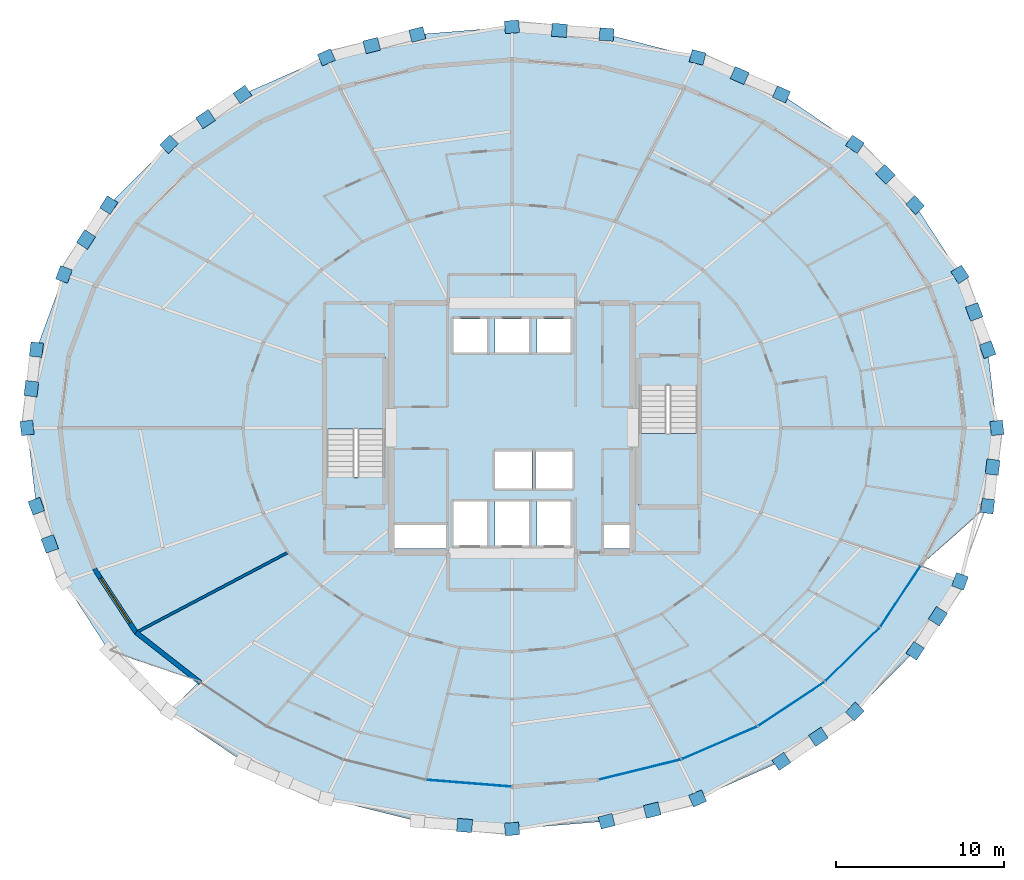
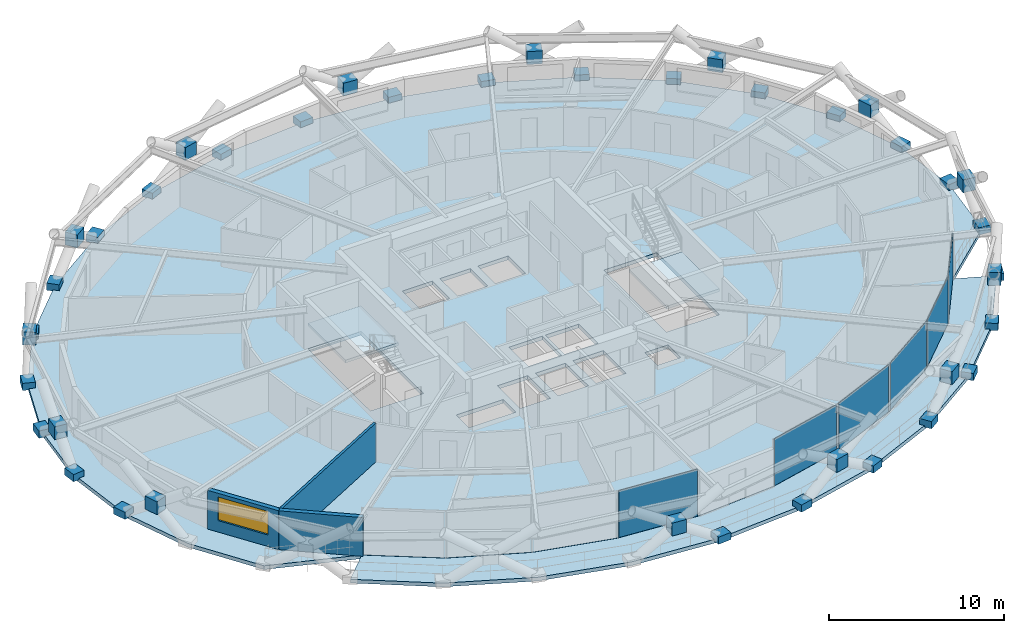
# One storey, part 12 of 19: 46 plates, 4 slabs, 3 walls, 1 window, 1 opening, 4 elements without a shape of their own.
"""IFC4 building model written with IfcOpenShell, lengths in metres."""

from ifc_helpers import new_model, si_unit, direction, frame, frame_2d, origin, origin_2d, place, context, subcontext, project, spatial, polyline, rectangle, outline, extrude, material, layer, layer_set, type_object, element, fill, aggregate, save


model = new_model("IFC4")

# Units and contexts
model_context = context("Model", 3, precision=1e-05, world=origin(), true_north=direction((0.0, 1.0)))
body_context = subcontext(model_context, "Body", "Model", "MODEL_VIEW")
ifc_project = project(units=[si_unit("LENGTHUNIT", "METRE"), si_unit("AREAUNIT", "SQUARE_METRE"), si_unit("VOLUMEUNIT", "CUBIC_METRE"), si_unit("PLANEANGLEUNIT", "RADIAN"), si_unit("MASSUNIT", "GRAM", prefix="KILO")], contexts=[model_context])

# Site, building, storey
site_placement = place(None, origin())
site = spatial("IfcSite", under=ifc_project, at=site_placement, CompositionType="ELEMENT")
building_placement = place(site_placement, origin())
building = spatial("IfcBuilding", under=site, at=building_placement, Name="Veldorina Hangang Commons", CompositionType="ELEMENT")
storey_placement = place(building_placement, frame((0.0, 0.0, 70.0)))
storey = spatial("IfcBuildingStorey", under=building, at=storey_placement, Name="L17", CompositionType="ELEMENT", Elevation=70.0)

# Curtain wall, plate
ifc_material_1 = material(Name="Glass Low-E Triple IGU", Category="glass")
ifc_layer_1 = layer(ifc_material_1, 0.179931640625)
ifc_layer_set_1 = layer_set([ifc_layer_1], Name="Glass Low-E Triple IGU")
curtain_wall_type = type_object("IfcCurtainWallType", Name="CW-SYS-Z1", PredefinedType="NOTDEFINED", material=ifc_layer_set_1)
curtain_wall_1_placement = place(storey_placement, origin())
curtain_wall_1 = element("IfcCurtainWall", 1, at=curtain_wall_1_placement, inside=storey, type_object=curtain_wall_type, Name="L17 unitised curtain wall CW-L17-R1", PredefinedType="NOTDEFINED")
ifc_layer_2 = layer(ifc_material_1, 0.0400390625)
ifc_layer_set_2 = layer_set([ifc_layer_2], Name="Glass Low-E Triple IGU")
plate_type_1 = type_object("IfcPlateType", Name="CW-PNL-VIS", PredefinedType="CURTAIN_PANEL", material=ifc_layer_set_2)
plate_1_placement = place(storey_placement, frame((29.42529296875, 2.809814453125, 0.014892578125), z_axis=(0.0, 0.0, 1.0), x_axis=(0.996829072167, -0.079572613899, 0.0)))
plate_1 = element("IfcPlate", 2, at=plate_1_placement, type_object=plate_type_1, Name="CW-L17-R1 facet 4 glazed vision panel", PredefinedType="CURTAIN_PANEL", context=body_context, shape_type="SweptSolid", body=[
    extrude(rectangle(XDim=4.986083984375, YDim=0.0400390625, at=origin_2d()), origin(), (0.0, 0.0, 1.0), 3.27001953125),
])
aggregate(curtain_wall_1, [plate_1])

# Curtain wall, plates
curtain_wall_2_placement = place(storey_placement, origin())
curtain_wall_2 = element("IfcCurtainWall", 3, at=curtain_wall_2_placement, inside=storey, type_object=curtain_wall_type, Name="L17 unitised curtain wall CW-L17-R2", PredefinedType="NOTDEFINED")
plate_2_placement = place(storey_placement, frame((39.62548828125, 3.6240234375, 0.014892578125), z_axis=(0.0, 0.0, 1.0), x_axis=(0.971071798717, 0.238787691761, 0.0)))
plate_2 = element("IfcPlate", 4, at=plate_2_placement, type_object=plate_type_1, Name="CW-L17-R2 facet 1 glazed vision panel", PredefinedType="CURTAIN_PANEL", context=body_context, shape_type="SweptSolid", body=[
    extrude(rectangle(XDim=4.919189453125, YDim=0.0400390625, at=origin_2d()), origin(), (0.0, 0.0, 1.0), 3.27001953125),
])
plate_3_placement = place(storey_placement, frame((44.383056640625, 5.221435546875, 0.014892578125), z_axis=(0.0, 0.0, 1.0), x_axis=(0.917588188255, 0.39753228394, 0.0)))
plate_3 = element("IfcPlate", 5, at=plate_3_placement, type_object=plate_type_1, Name="CW-L17-R2 facet 2 glazed vision panel", PredefinedType="CURTAIN_PANEL", context=body_context, shape_type="SweptSolid", body=[
    extrude(rectangle(XDim=4.79345703125, YDim=0.0400390625, at=origin_2d()), origin(), (0.0, 0.0, 1.0), 3.27001953125),
])
plate_4_placement = place(storey_placement, frame((48.664794921875, 7.540283203125, 0.014892578125), z_axis=(0.0, 0.0, 1.0), x_axis=(0.832592704922, 0.553885717193, 0.0)))
plate_4 = element("IfcPlate", 6, at=plate_4_placement, type_object=plate_type_1, Name="CW-L17-R2 facet 3 glazed vision panel", PredefinedType="CURTAIN_PANEL", context=body_context, shape_type="SweptSolid", body=[
    extrude(rectangle(XDim=4.6240234375, YDim=0.0400390625, at=origin_2d()), origin(), (0.0, 0.0, 1.0), 3.27001953125),
])
plate_5_placement = place(storey_placement, frame((52.305908203125, 10.491943359375, 0.014892578125), z_axis=(0.0, 0.0, 1.0), x_axis=(0.711486621254, 0.702699642648, 0.0)))
plate_5 = element("IfcPlate", 7, at=plate_5_placement, type_object=plate_type_1, Name="CW-L17-R2 facet 4 glazed vision panel", PredefinedType="CURTAIN_PANEL", context=body_context, shape_type="SweptSolid", body=[
    extrude(rectangle(XDim=4.433837890625, YDim=0.0400390625, at=origin_2d()), origin(), (0.0, 0.0, 1.0), 3.27001953125),
])
plate_6_placement = place(storey_placement, frame((55.1669921875, 13.962646484375, 0.014892578125), z_axis=(0.0, 0.0, 1.0), x_axis=(0.550495310845, 0.834838255435, 0.0)))
plate_6 = element("IfcPlate", 8, at=plate_6_placement, type_object=plate_type_1, Name="CW-L17-R2 facet 5 glazed vision panel", PredefinedType="CURTAIN_PANEL", context=body_context, shape_type="SweptSolid", body=[
    extrude(rectangle(XDim=4.2509765625, YDim=0.0400390625, at=origin_2d()), origin(), (0.0, 0.0, 1.0), 3.27001953125),
])
aggregate(curtain_wall_2, [plate_2, plate_3, plate_4, plate_5, plate_6])

# Plates
ifc_material_2 = material(Name="Steel SM460-TMC", Category="steel")
ifc_layer_3 = layer(ifc_material_2, 0.035888671875)
ifc_layer_set_3 = layer_set([ifc_layer_3], Name="Steel SM460-TMC")
plate_type_2 = type_object("IfcPlateType", Name="PL-STAR-36", PredefinedType="USERDEFINED", material=ifc_layer_set_3)
for number, where, z_axis, x_axis, name in (
    (9, (60.915771484375, 24.0, -0.090087890625), (0.0, 0.0, 1.0), (-0.118247992189, 0.992984094708, 0.0), "L17 diagrid star-node gusset plate 00"),
    (10, (60.360107421875, 28.665771484375, -0.090087890625), (0.0, 0.0, 1.0), (-0.344331608295, 0.938848093958, 0.0), "L17 diagrid star-node gusset plate 01"),
):
    element("IfcPlate", number, at=place(storey_placement, frame(where, z_axis=z_axis, x_axis=x_axis)), inside=storey, type_object=plate_type_2, Name=name, ObjectType="GUSSET PLATE", PredefinedType="USERDEFINED", context=body_context, shape_type="SweptSolid", body=[
        extrude(rectangle(XDim=0.85009765625, YDim=0.75, at=origin_2d()), origin(), (0.0, 0.0, 1.0), 0.5),
    ])
plate_7_placement = place(storey_placement, frame((59.559814453125, 30.915771484375, 1.348388671875), z_axis=(0.0, 0.0, 1.0), x_axis=(-0.344331608295, 0.938848093958, 0.0)))
element("IfcPlate", 11, at=plate_7_placement, inside=storey, type_object=plate_type_2, Name="L17 diagrid X-crossing star-node gusset plate 01", ObjectType="GUSSET PLATE", PredefinedType="USERDEFINED", context=body_context, shape_type="SweptSolid", body=[
    extrude(rectangle(XDim=0.89990234375, YDim=0.780029296875, at=origin_2d()), origin(), (0.0, 0.0, 1.0), 0.89990234375),
])
for number, where, z_axis, x_axis, name in (
    (12, (58.714599609375, 33.152099609375, -0.090087890625), (0.0, 0.0, 1.0), (-0.542778728115, 0.839875736229, 0.0), "L17 diagrid star-node gusset plate 02"),
    (13, (56.04248046875, 37.286865234375, -0.090087890625), (0.0, 0.0, 1.0), (-0.704349313248, 0.709853537659, 0.0), "L17 diagrid star-node gusset plate 03"),
):
    element("IfcPlate", number, at=place(storey_placement, frame(where, z_axis=z_axis, x_axis=x_axis)), inside=storey, type_object=plate_type_2, Name=name, ObjectType="GUSSET PLATE", PredefinedType="USERDEFINED", context=body_context, shape_type="SweptSolid", body=[
        extrude(rectangle(XDim=0.85009765625, YDim=0.75, at=origin_2d()), origin(), (0.0, 0.0, 1.0), 0.5),
    ])
plate_8_placement = place(storey_placement, frame((54.2626953125, 39.11376953125, 1.348388671875), z_axis=(0.0, 0.0, 1.0), x_axis=(-0.704349313248, 0.709853537659, 0.0)))
element("IfcPlate", 14, at=plate_8_placement, inside=storey, type_object=plate_type_2, Name="L17 diagrid X-crossing star-node gusset plate 03", ObjectType="GUSSET PLATE", PredefinedType="USERDEFINED", context=body_context, shape_type="SweptSolid", body=[
    extrude(rectangle(XDim=0.89990234375, YDim=0.780029296875, at=origin_2d()), origin(), (0.0, 0.0, 1.0), 0.89990234375),
])
for number, where, z_axis, x_axis, name in (
    (15, (52.446533203125, 40.910888671875, -0.090087890625), (0.0, 0.0, 1.0), (-0.827394371843, 0.561621361277, 0.0), "L17 diagrid star-node gusset plate 04"),
    (16, (48.064697265625, 43.88525390625, -0.090087890625), (0.0, 0.0, 1.0), (-0.914614216786, 0.404327632561, 0.0), "L17 diagrid star-node gusset plate 05"),
):
    element("IfcPlate", number, at=place(storey_placement, frame(where, z_axis=z_axis, x_axis=x_axis)), inside=storey, type_object=plate_type_2, Name=name, ObjectType="GUSSET PLATE", PredefinedType="USERDEFINED", context=body_context, shape_type="SweptSolid", body=[
        extrude(rectangle(XDim=0.85009765625, YDim=0.75, at=origin_2d()), origin(), (0.0, 0.0, 1.0), 0.5),
    ])
plate_9_placement = place(storey_placement, frame((45.576171875, 45.010986328125, 1.3486328125), z_axis=(0.0, 0.0, 1.0), x_axis=(-0.914614216786, 0.404327632561, 0.0)))
element("IfcPlate", 17, at=plate_9_placement, inside=storey, type_object=plate_type_2, Name="L17 diagrid X-crossing star-node gusset plate 05", ObjectType="GUSSET PLATE", PredefinedType="USERDEFINED", context=body_context, shape_type="SweptSolid", body=[
    extrude(rectangle(XDim=0.89990234375, YDim=0.780029296875, at=origin_2d()), origin(), (0.0, 0.0, 1.0), 0.89990234375),
])
for number, where, z_axis, x_axis, name in (
    (18, (43.065673828125, 46.09521484375, -0.090087890625), (0.0, 0.0, 1.0), (-0.969935760308, 0.243361091541, 0.0), "L17 diagrid star-node gusset plate 06"),
    (19, (37.64111328125, 47.456298828125, -0.090087890625), (0.0, 0.0, 1.0), (-0.996698600301, 0.081190517659, 0.0), "L17 diagrid star-node gusset plate 07"),
):
    element("IfcPlate", number, at=place(storey_placement, frame(where, z_axis=z_axis, x_axis=x_axis)), inside=storey, type_object=plate_type_2, Name=name, ObjectType="GUSSET PLATE", PredefinedType="USERDEFINED", context=body_context, shape_type="SweptSolid", body=[
        extrude(rectangle(XDim=0.85009765625, YDim=0.75, at=origin_2d()), origin(), (0.0, 0.0, 1.0), 0.5),
    ])
plate_10_placement = place(storey_placement, frame((34.822998046875, 47.708984375, 1.3486328125), z_axis=(0.0, 0.0, 1.0), x_axis=(-0.996698600301, 0.081190517659, 0.0)))
element("IfcPlate", 20, at=plate_10_placement, inside=storey, type_object=plate_type_2, Name="L17 diagrid X-crossing star-node gusset plate 07", ObjectType="GUSSET PLATE", PredefinedType="USERDEFINED", context=body_context, shape_type="SweptSolid", body=[
    extrude(rectangle(XDim=0.89990234375, YDim=0.780029296875, at=origin_2d()), origin(), (0.0, 0.0, 1.0), 0.89990234375),
])
for number, where, z_axis, x_axis, name in (
    (21, (32.0, 47.915771484375, -0.090087890625), (0.0, 0.0, 1.0), (-0.996698600301, -0.081190517659, 0.0), "L17 diagrid star-node gusset plate 08"),
    (22, (26.35888671875, 47.456298828125, -0.090087890625), (0.0, 0.0, 1.0), (-0.969935760308, -0.243361091541, 0.0), "L17 diagrid star-node gusset plate 09"),
):
    element("IfcPlate", number, at=place(storey_placement, frame(where, z_axis=z_axis, x_axis=x_axis)), inside=storey, type_object=plate_type_2, Name=name, ObjectType="GUSSET PLATE", PredefinedType="USERDEFINED", context=body_context, shape_type="SweptSolid", body=[
        extrude(rectangle(XDim=0.85009765625, YDim=0.75, at=origin_2d()), origin(), (0.0, 0.0, 1.0), 0.5),
    ])
plate_11_placement = place(storey_placement, frame((23.639892578125, 46.7978515625, 1.3486328125), z_axis=(0.0, 0.0, 1.0), x_axis=(-0.969935760308, -0.243361091541, 0.0)))
element("IfcPlate", 23, at=plate_11_placement, inside=storey, type_object=plate_type_2, Name="L17 diagrid X-crossing star-node gusset plate 09", ObjectType="GUSSET PLATE", PredefinedType="USERDEFINED", context=body_context, shape_type="SweptSolid", body=[
    extrude(rectangle(XDim=0.89990234375, YDim=0.780029296875, at=origin_2d()), origin(), (0.0, 0.0, 1.0), 0.89990234375),
])
for number, where, z_axis, x_axis, name in (
    (24, (20.934326171875, 46.09521484375, -0.090087890625), (0.0, 0.0, 1.0), (-0.914614216786, -0.404327632561, 0.0), "L17 diagrid star-node gusset plate 10"),
    (25, (15.935302734375, 43.88525390625, -0.090087890625), (0.0, 0.0, 1.0), (-0.827394371843, -0.561621361277, 0.0), "L17 diagrid star-node gusset plate 11"),
):
    element("IfcPlate", number, at=place(storey_placement, frame(where, z_axis=z_axis, x_axis=x_axis)), inside=storey, type_object=plate_type_2, Name=name, ObjectType="GUSSET PLATE", PredefinedType="USERDEFINED", context=body_context, shape_type="SweptSolid", body=[
        extrude(rectangle(XDim=0.85009765625, YDim=0.75, at=origin_2d()), origin(), (0.0, 0.0, 1.0), 0.5),
    ])
plate_12_placement = place(storey_placement, frame((13.729736328125, 42.416015625, 1.3486328125), z_axis=(0.0, 0.0, 1.0), x_axis=(-0.827394371843, -0.561621361277, 0.0)))
element("IfcPlate", 26, at=plate_12_placement, inside=storey, type_object=plate_type_2, Name="L17 diagrid X-crossing star-node gusset plate 11", ObjectType="GUSSET PLATE", PredefinedType="USERDEFINED", context=body_context, shape_type="SweptSolid", body=[
    extrude(rectangle(XDim=0.89990234375, YDim=0.780029296875, at=origin_2d()), origin(), (0.0, 0.0, 1.0), 0.89990234375),
])
for number, where, z_axis, x_axis, name in (
    (27, (11.553466796875, 40.910888671875, -0.090087890625), (0.0, 0.0, 1.0), (-0.704349313248, -0.709853537659, 0.0), "L17 diagrid star-node gusset plate 12"),
    (28, (7.95751953125, 37.286865234375, -0.090087890625), (0.0, 0.0, 1.0), (-0.542778728115, -0.839875736229, 0.0), "L17 diagrid star-node gusset plate 13"),
):
    element("IfcPlate", number, at=place(storey_placement, frame(where, z_axis=z_axis, x_axis=x_axis)), inside=storey, type_object=plate_type_2, Name=name, ObjectType="GUSSET PLATE", PredefinedType="USERDEFINED", context=body_context, shape_type="SweptSolid", body=[
        extrude(rectangle(XDim=0.85009765625, YDim=0.75, at=origin_2d()), origin(), (0.0, 0.0, 1.0), 0.5),
    ])
plate_13_placement = place(storey_placement, frame((6.60107421875, 35.23046875, 1.348388671875), z_axis=(0.0, 0.0, 1.0), x_axis=(-0.542778728115, -0.839875736229, 0.0)))
element("IfcPlate", 29, at=plate_13_placement, inside=storey, type_object=plate_type_2, Name="L17 diagrid X-crossing star-node gusset plate 13", ObjectType="GUSSET PLATE", PredefinedType="USERDEFINED", context=body_context, shape_type="SweptSolid", body=[
    extrude(rectangle(XDim=0.89990234375, YDim=0.780029296875, at=origin_2d()), origin(), (0.0, 0.0, 1.0), 0.89990234375),
])
for number, where, z_axis, x_axis, name in (
    (30, (5.285400390625, 33.152099609375, -0.090087890625), (0.0, 0.0, 1.0), (-0.344331608295, -0.938848093958, 0.0), "L17 diagrid star-node gusset plate 14"),
    (31, (3.639892578125, 28.665771484375, -0.090087890625), (0.0, 0.0, 1.0), (-0.118247992189, -0.992984094708, 0.0), "L17 diagrid star-node gusset plate 15"),
):
    element("IfcPlate", number, at=place(storey_placement, frame(where, z_axis=z_axis, x_axis=x_axis)), inside=storey, type_object=plate_type_2, Name=name, ObjectType="GUSSET PLATE", PredefinedType="USERDEFINED", context=body_context, shape_type="SweptSolid", body=[
        extrude(rectangle(XDim=0.85009765625, YDim=0.75, at=origin_2d()), origin(), (0.0, 0.0, 1.0), 0.5),
    ])
plate_14_placement = place(storey_placement, frame((3.339111328125, 26.335205078125, 1.348388671875), z_axis=(0.0, 0.0, 1.0), x_axis=(-0.118247992189, -0.992984094708, 0.0)))
element("IfcPlate", 32, at=plate_14_placement, inside=storey, type_object=plate_type_2, Name="L17 diagrid X-crossing star-node gusset plate 15", ObjectType="GUSSET PLATE", PredefinedType="USERDEFINED", context=body_context, shape_type="SweptSolid", body=[
    extrude(rectangle(XDim=0.89990234375, YDim=0.780029296875, at=origin_2d()), origin(), (0.0, 0.0, 1.0), 0.89990234375),
])
for number, where, z_axis, x_axis, name in (
    (33, (3.084228515625, 24.0, -0.090087890625), (0.0, 0.0, 1.0), (0.118247992189, -0.992984094708, 0.0), "L17 diagrid star-node gusset plate 16"),
    (34, (3.639892578125, 19.334228515625, -0.090087890625), (0.0, 0.0, 1.0), (0.344331608295, -0.938848093958, 0.0), "L17 diagrid star-node gusset plate 17"),
):
    element("IfcPlate", number, at=place(storey_placement, frame(where, z_axis=z_axis, x_axis=x_axis)), inside=storey, type_object=plate_type_2, Name=name, ObjectType="GUSSET PLATE", PredefinedType="USERDEFINED", context=body_context, shape_type="SweptSolid", body=[
        extrude(rectangle(XDim=0.85009765625, YDim=0.75, at=origin_2d()), origin(), (0.0, 0.0, 1.0), 0.5),
    ])
for number, where, z_axis, x_axis, name in (
    (35, (4.440185546875, 17.084228515625, 1.348388671875), (0.0, 0.0, 1.0), (0.344331608295, -0.938848093958, 0.0), "L17 diagrid X-crossing star-node gusset plate 17"),
    (36, (29.177001953125, 0.291015625, 1.3486328125), (0.0, 0.0, 1.0), (0.996698600301, -0.081190517659, 0.0), "L17 diagrid X-crossing star-node gusset plate 23"),
):
    element("IfcPlate", number, at=place(storey_placement, frame(where, z_axis=z_axis, x_axis=x_axis)), inside=storey, type_object=plate_type_2, Name=name, ObjectType="GUSSET PLATE", PredefinedType="USERDEFINED", context=body_context, shape_type="SweptSolid", body=[
        extrude(rectangle(XDim=0.89990234375, YDim=0.780029296875, at=origin_2d()), origin(), (0.0, 0.0, 1.0), 0.89990234375),
    ])
for number, where, z_axis, x_axis, name in (
    (37, (32.0, 0.084228515625, -0.090087890625), (0.0, 0.0, 1.0), (0.996698600301, 0.081190517659, 0.0), "L17 diagrid star-node gusset plate 24"),
    (38, (37.64111328125, 0.543701171875, -0.090087890625), (0.0, 0.0, 1.0), (0.969935760308, 0.243361091541, 0.0), "L17 diagrid star-node gusset plate 25"),
):
    element("IfcPlate", number, at=place(storey_placement, frame(where, z_axis=z_axis, x_axis=x_axis)), inside=storey, type_object=plate_type_2, Name=name, ObjectType="GUSSET PLATE", PredefinedType="USERDEFINED", context=body_context, shape_type="SweptSolid", body=[
        extrude(rectangle(XDim=0.85009765625, YDim=0.75, at=origin_2d()), origin(), (0.0, 0.0, 1.0), 0.5),
    ])
plate_15_placement = place(storey_placement, frame((40.360107421875, 1.2021484375, 1.3486328125), z_axis=(0.0, 0.0, 1.0), x_axis=(0.969935760308, 0.243361091541, 0.0)))
element("IfcPlate", 39, at=plate_15_placement, inside=storey, type_object=plate_type_2, Name="L17 diagrid X-crossing star-node gusset plate 25", ObjectType="GUSSET PLATE", PredefinedType="USERDEFINED", context=body_context, shape_type="SweptSolid", body=[
    extrude(rectangle(XDim=0.89990234375, YDim=0.780029296875, at=origin_2d()), origin(), (0.0, 0.0, 1.0), 0.89990234375),
])
for number, where, z_axis, x_axis, name in (
    (40, (43.065673828125, 1.90478515625, -0.090087890625), (0.0, 0.0, 1.0), (0.914614216786, 0.404327632561, 0.0), "L17 diagrid star-node gusset plate 26"),
    (41, (48.064697265625, 4.11474609375, -0.090087890625), (0.0, 0.0, 1.0), (0.827394371843, 0.561621361277, 0.0), "L17 diagrid star-node gusset plate 27"),
):
    element("IfcPlate", number, at=place(storey_placement, frame(where, z_axis=z_axis, x_axis=x_axis)), inside=storey, type_object=plate_type_2, Name=name, ObjectType="GUSSET PLATE", PredefinedType="USERDEFINED", context=body_context, shape_type="SweptSolid", body=[
        extrude(rectangle(XDim=0.85009765625, YDim=0.75, at=origin_2d()), origin(), (0.0, 0.0, 1.0), 0.5),
    ])
plate_16_placement = place(storey_placement, frame((50.270263671875, 5.583984375, 1.3486328125), z_axis=(0.0, 0.0, 1.0), x_axis=(0.827394371843, 0.561621361277, 0.0)))
element("IfcPlate", 42, at=plate_16_placement, inside=storey, type_object=plate_type_2, Name="L17 diagrid X-crossing star-node gusset plate 27", ObjectType="GUSSET PLATE", PredefinedType="USERDEFINED", context=body_context, shape_type="SweptSolid", body=[
    extrude(rectangle(XDim=0.89990234375, YDim=0.780029296875, at=origin_2d()), origin(), (0.0, 0.0, 1.0), 0.89990234375),
])
for number, where, z_axis, x_axis, name in (
    (43, (52.446533203125, 7.089111328125, -0.090087890625), (0.0, 0.0, 1.0), (0.704349313248, 0.709853537659, 0.0), "L17 diagrid star-node gusset plate 28"),
    (44, (56.04248046875, 10.713134765625, -0.090087890625), (0.0, 0.0, 1.0), (0.542778728115, 0.839875736229, 0.0), "L17 diagrid star-node gusset plate 29"),
):
    element("IfcPlate", number, at=place(storey_placement, frame(where, z_axis=z_axis, x_axis=x_axis)), inside=storey, type_object=plate_type_2, Name=name, ObjectType="GUSSET PLATE", PredefinedType="USERDEFINED", context=body_context, shape_type="SweptSolid", body=[
        extrude(rectangle(XDim=0.85009765625, YDim=0.75, at=origin_2d()), origin(), (0.0, 0.0, 1.0), 0.5),
    ])
plate_17_placement = place(storey_placement, frame((57.39892578125, 12.76953125, 1.348388671875), z_axis=(0.0, 0.0, 1.0), x_axis=(0.542778728115, 0.839875736229, 0.0)))
element("IfcPlate", 45, at=plate_17_placement, inside=storey, type_object=plate_type_2, Name="L17 diagrid X-crossing star-node gusset plate 29", ObjectType="GUSSET PLATE", PredefinedType="USERDEFINED", context=body_context, shape_type="SweptSolid", body=[
    extrude(rectangle(XDim=0.89990234375, YDim=0.780029296875, at=origin_2d()), origin(), (0.0, 0.0, 1.0), 0.89990234375),
])
for number, where, z_axis, x_axis, name in (
    (46, (58.714599609375, 14.847900390625, -0.090087890625), (0.0, 0.0, 1.0), (0.344331608295, 0.938848093958, 0.0), "L17 diagrid star-node gusset plate 30"),
    (47, (60.360107421875, 19.334228515625, -0.090087890625), (0.0, 0.0, 1.0), (0.118247992189, 0.992984094708, 0.0), "L17 diagrid star-node gusset plate 31"),
):
    element("IfcPlate", number, at=place(storey_placement, frame(where, z_axis=z_axis, x_axis=x_axis)), inside=storey, type_object=plate_type_2, Name=name, ObjectType="GUSSET PLATE", PredefinedType="USERDEFINED", context=body_context, shape_type="SweptSolid", body=[
        extrude(rectangle(XDim=0.85009765625, YDim=0.75, at=origin_2d()), origin(), (0.0, 0.0, 1.0), 0.5),
    ])
plate_18_placement = place(storey_placement, frame((60.660888671875, 21.664794921875, 1.348388671875), z_axis=(0.0, 0.0, 1.0), x_axis=(0.118247992189, 0.992984094708, 0.0)))
element("IfcPlate", 48, at=plate_18_placement, inside=storey, type_object=plate_type_2, Name="L17 diagrid X-crossing star-node gusset plate 31", ObjectType="GUSSET PLATE", PredefinedType="USERDEFINED", context=body_context, shape_type="SweptSolid", body=[
    extrude(rectangle(XDim=0.89990234375, YDim=0.780029296875, at=origin_2d()), origin(), (0.0, 0.0, 1.0), 0.89990234375),
])

# Slabs
ifc_material_3 = material(Name="Concrete C40/50", Category="concrete")
ifc_layer_4 = layer(ifc_material_3, 0.260009765625)
ifc_layer_set_4 = layer_set([ifc_layer_4], Name="Concrete C40/50")
slab_type_1 = type_object("IfcSlabType", Name="SL-FLR-260", PredefinedType="FLOOR", material=ifc_layer_set_4)
slab_1_placement = place(storey_placement, frame((0.0, 0.0, -0.260009765625)))
element("IfcSlab", 49, at=slab_1_placement, inside=storey, type_object=slab_type_1, Name="L17 tower structural floor slab", PredefinedType="FLOOR", context=body_context, shape_type="SweptSolid", body=[
    extrude(outline(polyline([(60.915771484375, 24.0), (60.360107421875, 28.665771484375), (58.714599609375, 33.152099609375), (56.04248046875, 37.286865234375), (52.446533203125, 40.910888671875), (48.064697265625, 43.88525390625), (43.065673828125, 46.09521484375), (37.64111328125, 47.456298828125), (32.0, 47.915771484375), (26.35888671875, 47.456298828125), (20.934326171875, 46.09521484375), (15.935302734375, 43.88525390625), (11.553466796875, 40.910888671875), (7.95751953125, 37.286865234375), (5.285400390625, 33.152099609375), (3.639892578125, 28.665771484375), (3.084228515625, 24.0), (3.639892578125, 19.334228515625), (5.285400390625, 14.847900390625), (7.95751953125, 10.713134765625), (13.33544921875, 8.870849609375), (17.335205078125, 6.2099609375), (21.898681640625, 4.23291015625), (26.850341796875, 3.015380859375), (32.0, 2.604248046875), (37.149658203125, 3.015380859375), (42.101318359375, 4.23291015625), (46.664794921875, 6.2099609375), (50.66455078125, 8.870849609375), (53.947265625, 12.113037109375), (56.386474609375, 15.812255859375), (60.360107421875, 19.334228515625), (60.915771484375, 24.0)]), holes=[polyline([(20.949951171875, 21.05810546875), (20.949951171875, 28.199951171875), (24.449951171875, 28.199951171875), (24.449951171875, 21.05810546875), (20.949951171875, 21.05810546875)]), polyline([(43.050048828125, 26.5419921875), (43.050048828125, 19.39990234375), (39.550048828125, 19.39990234375), (39.550048828125, 26.5419921875), (43.050048828125, 26.5419921875)]), polyline([(28.5, 30.5), (30.5, 30.5), (30.5, 28.5), (28.5, 28.5), (28.5, 30.5)]), polyline([(31.0, 30.5), (33.0, 30.5), (33.0, 28.5), (31.0, 28.5), (31.0, 30.5)]), polyline([(33.5, 30.5), (35.5, 30.5), (35.5, 28.5), (33.5, 28.5), (33.5, 30.5)]), polyline([(31.0, 22.60009765625), (33.199951171875, 22.60009765625), (33.199951171875, 20.39990234375), (31.0, 20.39990234375), (31.0, 22.60009765625)]), polyline([(33.39990234375, 22.60009765625), (35.60009765625, 22.60009765625), (35.60009765625, 20.39990234375), (33.39990234375, 20.39990234375), (33.39990234375, 22.60009765625)]), polyline([(28.5, 19.60009765625), (30.5, 19.60009765625), (30.5, 17.0), (28.5, 17.0), (28.5, 19.60009765625)]), polyline([(31.0, 19.60009765625), (33.0, 19.60009765625), (33.0, 17.0), (31.0, 17.0), (31.0, 19.60009765625)]), polyline([(33.5, 19.60009765625), (35.5, 19.60009765625), (35.5, 17.0), (33.5, 17.0), (33.5, 19.60009765625)]), polyline([(25.0, 18.25), (28.10009765625, 18.25), (28.10009765625, 16.800048828125), (25.0, 16.800048828125), (25.0, 18.25)]), polyline([(37.449951171875, 18.25), (39.0, 18.25), (39.0, 16.800048828125), (37.449951171875, 16.800048828125), (37.449951171875, 18.25)])]), origin(), (0.0, 0.0, 1.0), 0.260009765625),
])
slab_2_placement = place(storey_placement, frame((0.0, 0.0, -0.260009765625)))
element("IfcSlab", 50, at=slab_2_placement, inside=storey, type_object=slab_type_1, Name="L17 sky-garden loggia outdoor slab", PredefinedType="FLOOR", context=body_context, shape_type="SweptSolid", body=[
    extrude(outline(polyline([(58.714599609375, 14.847900390625), (56.04248046875, 10.713134765625), (52.446533203125, 7.089111328125), (48.064697265625, 4.11474609375), (43.065673828125, 1.90478515625), (37.64111328125, 0.543701171875), (32.0, 0.084228515625), (26.35888671875, 0.543701171875), (20.934326171875, 1.90478515625), (15.935302734375, 4.11474609375), (11.553466796875, 7.089111328125), (13.323486328125, 8.859130859375), (13.32861328125, 8.857421875), (17.326904296875, 6.197509765625), (17.328125, 6.19677734375), (17.329345703125, 6.1962890625), (21.892822265625, 4.218994140625), (21.89404296875, 4.21875), (21.895263671875, 4.21826171875), (26.8466796875, 3.000732421875), (26.847900390625, 3.00048828125), (26.84912109375, 3.000244140625), (31.998779296875, 2.589111328125), (32.0, 2.589111328125), (32.001220703125, 2.589111328125), (37.15087890625, 3.000244140625), (37.152099609375, 3.00048828125), (37.1533203125, 3.000732421875), (42.104736328125, 4.21826171875), (42.10595703125, 4.21875), (42.107177734375, 4.218994140625), (46.670654296875, 6.1962890625), (46.671875, 6.19677734375), (46.673095703125, 6.197509765625), (50.6728515625, 8.8583984375), (50.674072265625, 8.859375), (50.675048828125, 8.860107421875), (53.957763671875, 12.102294921875), (53.958984375, 12.103515625), (53.959716796875, 12.104736328125), (56.39794921875, 15.80224609375), (56.40185546875, 15.805908203125), (58.714599609375, 14.847900390625)])), origin(), (0.0, 0.0, 1.0), 0.260009765625),
])

# Stair, slab
stair_type = type_object("IfcStairType", Name="STR-DOG-1650-20R", PredefinedType="HALF_TURN_STAIR", material=ifc_material_3)
stair_1_placement = place(storey_placement, origin())
stair_1 = element("IfcStair", 51, at=stair_1_placement, inside=storey, type_object=stair_type, Name="L17 Exit stair ST-1", PredefinedType="HALF_TURN_STAIR")
ifc_layer_5 = layer(ifc_material_3, 0.199951171875)
ifc_layer_set_5 = layer_set([ifc_layer_5], Name="Concrete C40/50")
slab_type_2 = type_object("IfcSlabType", Name="SL-LND-200", PredefinedType="LANDING", material=ifc_layer_set_5)
slab_3_placement = place(storey_placement, frame((0.0, 0.0, 1.60009765625)))
slab_3 = element("IfcSlab", 52, at=slab_3_placement, type_object=slab_type_2, Name="ST-1 landing 1", PredefinedType="LANDING", context=body_context, shape_type="SweptSolid", body=[
    extrude(outline(polyline([(24.449951171875, 23.929931640625), (24.449951171875, 28.199951171875), (20.949951171875, 28.199951171875), (20.949951171875, 23.929931640625), (24.449951171875, 23.929931640625)])), origin(), (0.0, 0.0, 1.0), 0.199951171875),
])
aggregate(stair_1, [slab_3])

stair_2_placement = place(storey_placement, origin())
stair_2 = element("IfcStair", 53, at=stair_2_placement, inside=storey, type_object=stair_type, Name="L17 Exit stair ST-2", PredefinedType="HALF_TURN_STAIR")
slab_4_placement = place(storey_placement, frame((0.0, 0.0, 1.60009765625)))
slab_4 = element("IfcSlab", 54, at=slab_4_placement, type_object=slab_type_2, Name="ST-2 landing 1", PredefinedType="LANDING", context=body_context, shape_type="SweptSolid", body=[
    extrude(outline(polyline([(39.550048828125, 23.669921875), (39.550048828125, 19.39990234375), (43.050048828125, 19.39990234375), (43.050048828125, 23.669921875), (39.550048828125, 23.669921875)])), origin(), (0.0, 0.0, 1.0), 0.199951171875),
])
aggregate(stair_2, [slab_4])

# Wall, opening, window
ifc_material_4 = material(Name="Stone Roman Travertine", Category="masonry")
ifc_layer_6 = layer(ifc_material_4, 0.280029296875)
ifc_layer_set_6 = layer_set([ifc_layer_6], Name="Stone Roman Travertine")
wall_type_1 = type_object("IfcWallType", Name="EW-TRAV-280", PredefinedType="STANDARD", material=ifc_layer_set_6)
wall_1_placement = place(storey_placement, frame((7.09619140625, 15.597900390625, 0.0), z_axis=(0.0, 0.0, 1.0), x_axis=(0.548642346735, -0.836057160348, 0.0)))
wall_1 = element("IfcWall", 55, at=wall_1_placement, inside=storey, type_object=wall_type_1, Name="L17 travertine facade wall 18", PredefinedType="STANDARD", context=body_context, shape_type="SweptSolid", body=[
    extrude(rectangle(XDim=4.540283203125, YDim=0.280029296875, at=frame_2d((2.27001953125, 0.0))), origin(), (0.0, 0.0, 1.0), 2.7099609375),
])
opening_placement = place(wall_1_placement, frame((0.670166015625, 0.0, 0.800048828125)))
opening = element("IfcOpeningElement", 56, at=opening_placement, cuts=wall_1, Name="Opening W-01", PredefinedType="OPENING", context=body_context, shape_type="SweptSolid", body=[
    extrude(rectangle(XDim=3.199951171875, YDim=1.64990234375, at=frame_2d((1.60009765625, 0.824951171875))), frame((0.0, 0.14990234375, 0.0), z_axis=(0.0, -1.0, 0.0), x_axis=(1.0, 0.0, 0.0)), (0.0, 0.0, 1.0), 0.300048828125),
])
window_type = type_object("IfcWindowType", Name="WIN-TWR-3200", PartitioningType="SINGLE_PANEL", PredefinedType="WINDOW", material=ifc_material_1)
window_placement = place(opening_placement, origin())
window = element("IfcWindow", 57, at=window_placement, inside=storey, type_object=window_type, Name="L17 facade window 18", OverallHeight=1.64990234375, OverallWidth=3.199951171875, PartitioningType="SINGLE_PANEL", PredefinedType="WINDOW", context=body_context, shape_type="SweptSolid", body=[
    extrude(rectangle(XDim=3.199951171875, YDim=1.64990234375, at=frame_2d((1.60009765625, 0.824951171875))), frame((0.0, 0.030029296875, 0.0), z_axis=(0.0, -1.0, 0.0), x_axis=(1.0, 0.0, 0.0)), (0.0, 0.0, 1.0), 0.06005859375),
])
fill(opening, window)

# Walls
wall_2_placement = place(storey_placement, frame((9.587158203125, 11.802001953125, 0.0), z_axis=(0.0, 0.0, 1.0), x_axis=(0.787744992108, -0.616001483285, 0.0)))
element("IfcWall", 58, at=wall_2_placement, inside=storey, type_object=wall_type_1, Name="L17 travertine facade wall 19", PredefinedType="STANDARD", context=body_context, shape_type="SweptSolid", body=[
    extrude(rectangle(XDim=4.850341796875, YDim=0.280029296875, at=frame_2d((2.42529296875, 0.0))), origin(), (0.0, 0.0, 1.0), 2.7099609375),
])
ifc_material_5 = material(Name="Gypsum Fire-Rated Twin Stud Wall", Category="gypsum")
ifc_layer_7 = layer(ifc_material_5, 0.159912109375)
ifc_layer_set_7 = layer_set([ifc_layer_7], Name="Gypsum Fire-Rated Twin Stud Wall")
wall_type_2 = type_object("IfcWallType", Name="WL-FIRE-160", PredefinedType="SOLIDWALL", material=ifc_layer_set_7)
wall_3_placement = place(storey_placement, frame((18.65478515625, 16.5830078125, 0.0), z_axis=(0.0, 0.0, 1.0), x_axis=(-0.884569100485, -0.466409162074, 0.0)))
element("IfcWall", 59, at=wall_3_placement, inside=storey, type_object=wall_type_2, Name="L17 Unit party wall 19 120", PredefinedType="SOLIDWALL", context=body_context, shape_type="SweptSolid", body=[
    extrude(rectangle(XDim=10.200927734375, YDim=0.159912109375, at=frame_2d((5.1005859375, 0.0))), origin(), (0.0, 0.0, 1.0), 2.7099609375),
])

save(model, "model.ifc")
